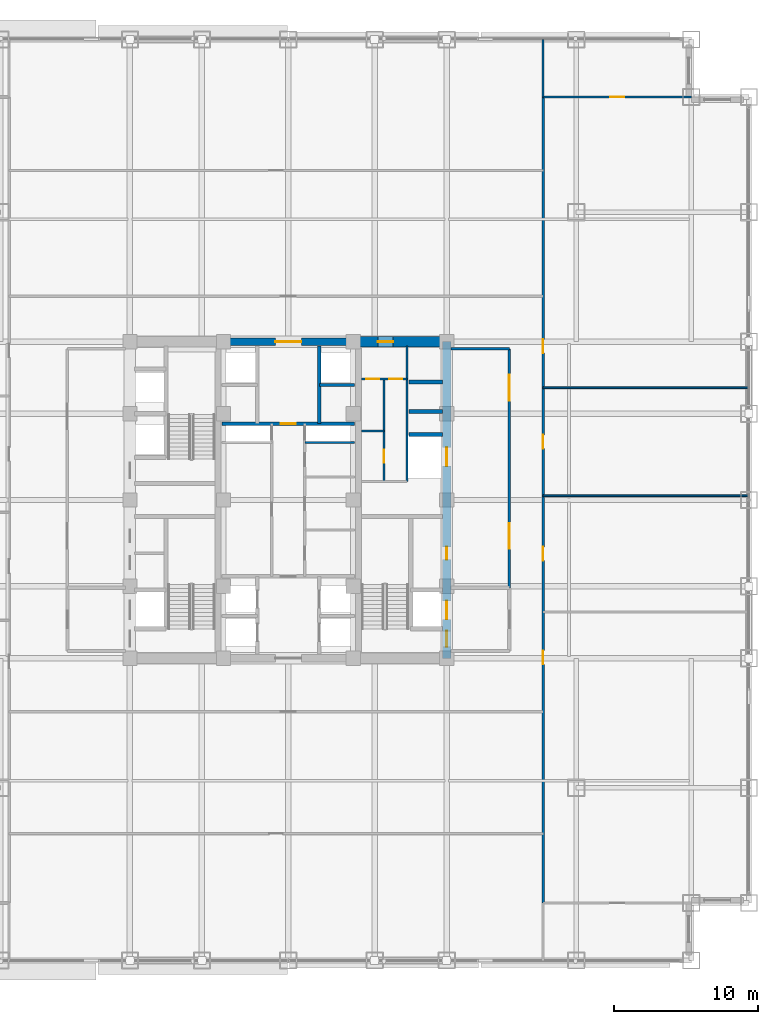
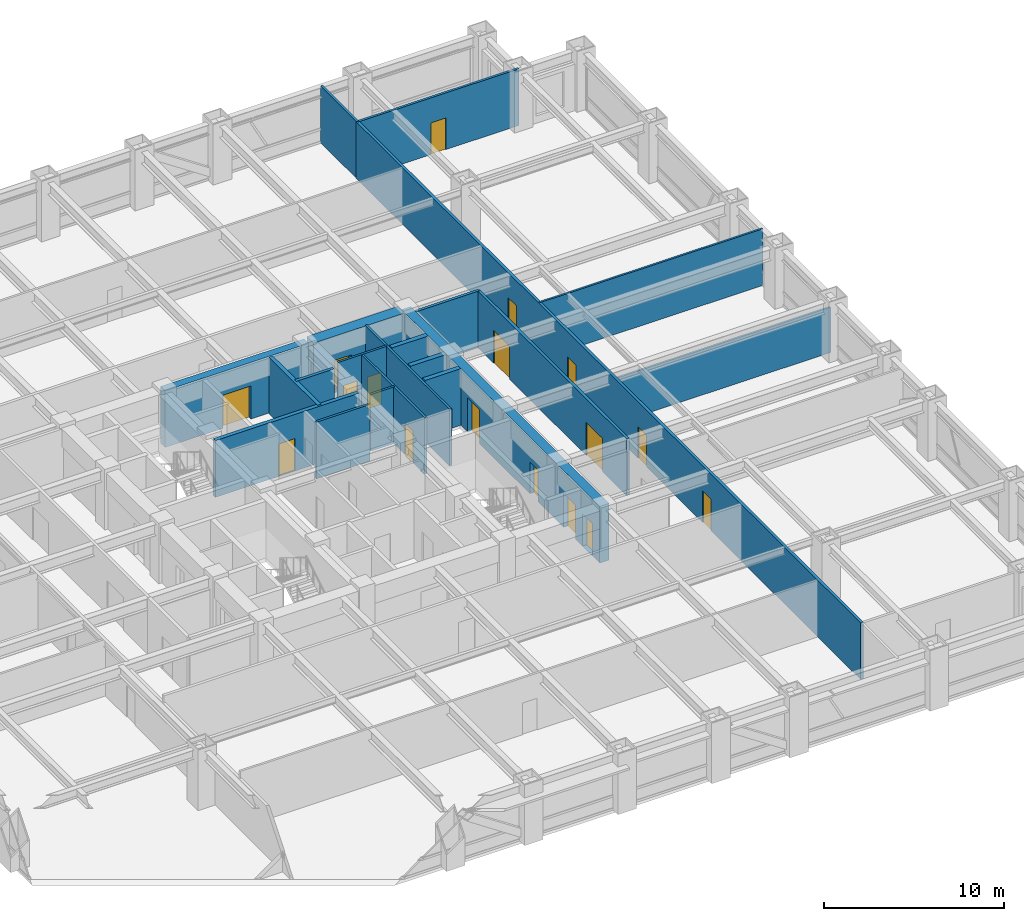
# One storey, part 26 of 32: 21 walls, 17 doors, 17 openings.
"""IFC4 building model written with IfcOpenShell, lengths in metres."""

import ifcopenshell
import ifcopenshell.guid

model = None  # the IFC model being written
_history = None  # IfcOwnerHistory: only IFC2X3 demands one
_inside = {}  # id of a spatial element -> (the spatial element, [elements in it])
_under = {}  # id of a project, library or spatial element -> (it, [spatial elements below it])
_declared = {}  # id of a project -> (the project, [libraries it declares])
_typed = {}  # id of a type object -> (the type object, [elements of that type])
_made_of = {}  # id of a material, layer set ... -> (it, [elements and type objects made of it])


def new_model(schema):
    """Start an empty IFC model of exactly this schema.

    Asked for "IFC4X3", IfcOpenShell would pick the latest addendum, in which some entities
    have other attributes; the version numbers below select the first issue.
    IFC2X3 requires an IfcOwnerHistory on every rooted entity: one is made here for all.
    """
    global model, _history
    if schema == "IFC4X3":
        model = ifcopenshell.file(schema_version=(4, 3, 0, 0))
    else:
        model = ifcopenshell.file(schema=schema)
    _inside.clear()
    _under.clear()
    _declared.clear()
    _typed.clear()
    _made_of.clear()
    _history = None
    if model.schema == "IFC2X3":
        org = make("IfcOrganization", Name="unknown")
        user = make(
            "IfcPersonAndOrganization",
            ThePerson=make("IfcPerson", FamilyName="unknown"),
            TheOrganization=org,
        )
        app = make(
            "IfcApplication",
            ApplicationDeveloper=org,
            Version="unknown",
            ApplicationFullName="unknown",
            ApplicationIdentifier="unknown",
        )
        _history = make(
            "IfcOwnerHistory",
            OwningUser=user,
            OwningApplication=app,
            ChangeAction="ADDED",
            CreationDate=0,
        )
    return model


def make(cls, **values):
    """One entity of the class cls with the attributes given. An attribute that is None is left unset."""
    return model.create_entity(
        cls, **{name: value for name, value in values.items() if value is not None}
    )


def rooted(cls, **values):
    """An entity with a GlobalId (a new one), such as an element, a storey or a relation."""
    return make(cls, GlobalId=ifcopenshell.guid.new(), OwnerHistory=_history, **values)


def si_unit(unit_type, name, prefix=None):
    """IfcSIUnit, for example si_unit("LENGTHUNIT", "METRE", prefix="MILLI")."""
    return make("IfcSIUnit", UnitType=unit_type, Prefix=prefix, Name=name)


def assignment(units):
    """IfcUnitAssignment: the units of a project."""
    return None if units is None else make("IfcUnitAssignment", Units=units)


def point(xyz):
    """IfcCartesianPoint."""
    return None if xyz is None else make("IfcCartesianPoint", Coordinates=xyz)


def direction(xyz):
    """IfcDirection."""
    return None if xyz is None else make("IfcDirection", DirectionRatios=xyz)


def frame(location, z_axis=None, x_axis=None):
    """IfcAxis2Placement3D, a coordinate frame: its origin and axes. An axis left out is left unset."""
    return make(
        "IfcAxis2Placement3D",
        Location=point(location),
        Axis=direction(z_axis),
        RefDirection=direction(x_axis),
    )


def frame_2d(location, x_axis=None):
    """IfcAxis2Placement2D, a coordinate frame in the plane: its origin and x axis."""
    return make(
        "IfcAxis2Placement2D", Location=point(location), RefDirection=direction(x_axis)
    )


def origin():
    """The frame at (0, 0, 0) with its axes left unset."""
    return frame((0.0, 0.0, 0.0))


def place(relative_to, where):
    """IfcLocalPlacement: puts the frame where relative to a parent placement (None: the world)."""
    return make(
        "IfcLocalPlacement", PlacementRelTo=relative_to, RelativePlacement=where
    )


def context(
    kind, dimensions, precision=None, world=None, true_north=None, identifier=None
):
    """IfcGeometricRepresentationContext, for example the 3D "Model" context."""
    return make(
        "IfcGeometricRepresentationContext",
        ContextIdentifier=identifier,
        ContextType=kind,
        CoordinateSpaceDimension=dimensions,
        Precision=precision,
        WorldCoordinateSystem=world,
        TrueNorth=true_north,
    )


def subcontext(parent, identifier, kind, view, scale=None):
    """IfcGeometricRepresentationSubContext, for example "Body" below "Model"."""
    return make(
        "IfcGeometricRepresentationSubContext",
        ContextIdentifier=identifier,
        ContextType=kind,
        ParentContext=parent,
        TargetScale=scale,
        TargetView=view,
    )


def project(units=None, contexts=None):
    """IfcProject with its units and contexts."""
    return rooted(
        "IfcProject",
        Name="project",
        RepresentationContexts=contexts,
        UnitsInContext=assignment(units),
    )


def spatial(cls, under=None, at=None, **own):
    """A site, building, storey or space (cls), placed at a placement, below another one or the project."""
    s = rooted(cls, ObjectPlacement=at, **own)
    if under is not None:
        _under.setdefault(under.id(), (under, []))[1].append(s)
    return s


def profile(cls, at=None, kind="AREA", **sizes):
    """A parametric profile (cls). Its sizes go by their IFC names, for example OverallWidth=200.0."""
    return make(cls, ProfileType=kind, Position=at, **sizes)


def rectangle(**sizes):
    """IfcRectangleProfileDef."""
    return profile("IfcRectangleProfileDef", **sizes)


def extrude(swept, where, along, depth):
    """IfcExtrudedAreaSolid: the profile swept, set in the frame where, extruded along a direction by depth."""
    return make(
        "IfcExtrudedAreaSolid",
        SweptArea=swept,
        Position=where,
        ExtrudedDirection=direction(along),
        Depth=depth,
    )


def shape(context_of_items, identifier, shape_type, items):
    """IfcShapeRepresentation: the items that make up one representation, for example the "Body"."""
    return make(
        "IfcShapeRepresentation",
        ContextOfItems=context_of_items,
        RepresentationIdentifier=identifier,
        RepresentationType=shape_type,
        Items=items,
    )


def source(mapping_origin, context_of_items, identifier, shape_type, items):
    """IfcRepresentationMap: a shape defined once, which mapped items show again and again."""
    return make(
        "IfcRepresentationMap",
        MappingOrigin=mapping_origin,
        MappedRepresentation=shape(context_of_items, identifier, shape_type, items),
    )


def transform(
    local_origin,
    x_axis=None,
    y_axis=None,
    z_axis=None,
    scale=None,
    scale2=None,
    scale3=None,
    uniform=True,
):
    """IfcCartesianTransformationOperator3D, or its non-uniform kind. x_axis, y_axis, z_axis: its Axis1, 2, 3."""
    if uniform:
        return make(
            "IfcCartesianTransformationOperator3D",
            Axis1=direction(x_axis),
            Axis2=direction(y_axis),
            LocalOrigin=point(local_origin),
            Scale=scale,
            Axis3=direction(z_axis),
        )
    return make(
        "IfcCartesianTransformationOperator3DnonUniform",
        Axis1=direction(x_axis),
        Axis2=direction(y_axis),
        LocalOrigin=point(local_origin),
        Scale=scale,
        Axis3=direction(z_axis),
        Scale2=scale2,
        Scale3=scale3,
    )


def mapped(mapping_source, mapping_target):
    """IfcMappedItem: shows the shape of a source again, moved by a transform."""
    return make(
        "IfcMappedItem", MappingSource=mapping_source, MappingTarget=mapping_target
    )


def material(Name=None, Category=None):
    """IfcMaterial."""
    return make("IfcMaterial", Name=Name, Category=Category)


def layer(
    of_material, thickness, ventilated=None, Name=None, Category=None, Priority=None
):
    """IfcMaterialLayer: one layer of a wall or slab, of a material (None: an air gap)."""
    return make(
        "IfcMaterialLayer",
        Material=of_material,
        LayerThickness=thickness,
        IsVentilated=ventilated,
        Name=Name,
        Category=Category,
        Priority=Priority,
    )


def layer_set(layers, Name=None):
    """IfcMaterialLayerSet."""
    return make("IfcMaterialLayerSet", MaterialLayers=layers, LayerSetName=Name)


def made_of(thing, what):
    """Note that an element or type object is made of a material, layer set ...; save() writes the relation."""
    if what is not None:
        _made_of.setdefault(what.id(), (what, []))[1].append(thing)
    return thing


def type_object(cls, material=None, **own):
    """A type object (cls), such as IfcWallType, which elements share."""
    return made_of(rooted(cls, **own), material)


def element(
    cls,
    number,
    at=None,
    inside=None,
    cuts=None,
    type_object=None,
    material=None,
    context=None,
    identifier="Body",
    shape_type=None,
    held_by="IfcProductDefinitionShape",
    body=None,
    shapes=None,
    **own,
):
    """One element of the class cls, such as IfcWall. Its Tag is "e" and its number.

    at: its placement. inside: the storey or other place that contains it. cuts: it is an
    opening in that element (IfcRelVoidsElement). A single representation is given by context,
    identifier, shape_type and body (its items); several are given by shapes. held_by: the class
    of the entity that holds the representations. save() writes the other relations.
    """
    e = rooted(cls, Tag="e%d" % number, ObjectPlacement=at, **own)
    if body is not None:
        shapes = [shape(context, identifier, shape_type, body)]
    if shapes is not None:
        e.Representation = make(held_by, Representations=shapes)
    if inside is not None:
        _inside.setdefault(inside.id(), (inside, []))[1].append(e)
    if cuts is not None:
        rooted(
            "IfcRelVoidsElement", RelatingBuildingElement=cuts, RelatedOpeningElement=e
        )
    if type_object is not None:
        _typed.setdefault(type_object.id(), (type_object, []))[1].append(e)
    return made_of(e, material)


def fill(opening, filler):
    """IfcRelFillsElement: the door or window that sits in an opening."""
    return rooted(
        "IfcRelFillsElement",
        RelatingOpeningElement=opening,
        RelatedBuildingElement=filler,
    )


def aggregate(whole, parts):
    """IfcRelAggregates: a whole, such as a stair, and the parts it consists of."""
    return rooted("IfcRelAggregates", RelatingObject=whole, RelatedObjects=parts)


def save(model, path):
    """Write the relations noted so far, then the file.

    IfcRelAggregates (storeys below a building ...), IfcRelContainedInSpatialStructure (elements
    in a storey), IfcRelDefinesByType, IfcRelAssociatesMaterial and IfcRelDeclares: one each for
    every whole, place, type object, material and project.
    """
    for whole, parts in _under.values():
        aggregate(whole, parts)
    for where, things in _inside.values():
        rooted(
            "IfcRelContainedInSpatialStructure",
            RelatedElements=things,
            RelatingStructure=where,
        )
    for kind, things in _typed.values():
        rooted("IfcRelDefinesByType", RelatedObjects=things, RelatingType=kind)
    for what, things in _made_of.values():
        rooted("IfcRelAssociatesMaterial", RelatedObjects=things, RelatingMaterial=what)
    for by, libraries in _declared.values():
        rooted("IfcRelDeclares", RelatingContext=by, RelatedDefinitions=libraries)
    model.write(path)


model = new_model("IFC4")

# Units and contexts
model_context = context("Model", 3, precision=1e-05, world=origin(), true_north=direction((0.0, 1.0)))
body_context = subcontext(model_context, "Body", "Model", "MODEL_VIEW")
ifc_project = project(units=[si_unit("LENGTHUNIT", "METRE"), si_unit("AREAUNIT", "SQUARE_METRE"), si_unit("VOLUMEUNIT", "CUBIC_METRE"), si_unit("PLANEANGLEUNIT", "RADIAN"), si_unit("MASSUNIT", "GRAM", prefix="KILO")], contexts=[model_context])

# Site, building, storey
site_placement = place(None, origin())
site = spatial("IfcSite", under=ifc_project, at=site_placement, CompositionType="ELEMENT")
building_placement = place(site_placement, origin())
building = spatial("IfcBuilding", under=site, at=building_placement, Name="Khorayat Bourse Tower", CompositionType="ELEMENT")
storey_placement = place(building_placement, frame((0.0, 0.0, 99.60009765625)))
storey = spatial("IfcBuildingStorey", under=building, at=storey_placement, Name="L22", CompositionType="ELEMENT", Elevation=99.60009765625)

# Wall, openings, doors
ifc_material_1 = material(Name="Concrete C60/75", Category="concrete")
ifc_layer_1 = layer(ifc_material_1, 0.60009765625)
ifc_layer_set_1 = layer_set([ifc_layer_1], Name="Concrete C60/75")
wall_type_1 = type_object("IfcWallType", Name="WAL-CORE-600", PredefinedType="SHEAR", material=ifc_layer_set_1)
shared_shape_1 = source(origin(), body_context, "Body", "SweptSolid", [
    extrude(rectangle(XDim=22.0, YDim=0.60009765625, at=frame_2d((11.0, 0.0))), origin(), (0.0, 0.0, 1.0), 3.83984375),
])
wall_1_placement = place(storey_placement, frame((11.0, -11.0, 0.0), z_axis=(0.0, 0.0, 1.0), x_axis=(0.0, 1.0, 0.0)))
wall_1 = element("IfcWall", 1, at=wall_1_placement, inside=storey, type_object=wall_type_1, Name="L22 Core Shear Wall CORE-E", PredefinedType="SHEAR", context=body_context, shape_type="MappedRepresentation", body=[
    mapped(shared_shape_1, transform((0.0, 0.0, 0.0), scale=1.0)),
])
shared_shape_2 = source(origin(), body_context, "Body", "SweptSolid", [
    extrude(rectangle(XDim=1.10009765625, YDim=2.199951171875, at=frame_2d((0.550048828125, 1.10009765625))), frame((0.0, 0.31005859375, 0.0), z_axis=(0.0, -1.0, 0.0), x_axis=(1.0, 0.0, 0.0)), (0.0, 0.0, 1.0), 0.6201171875),
])
opening_1_placement = place(wall_1_placement, frame((0.800048828125, 0.0, 0.0)))
opening_1 = element("IfcOpeningElement", 2, at=opening_1_placement, cuts=wall_1, Name="Opening DI-01", PredefinedType="OPENING", context=body_context, shape_type="MappedRepresentation", body=[
    mapped(shared_shape_2, transform((0.0, 0.0, 0.0), scale=1.0)),
])
shared_shape_3 = source(origin(), body_context, "Body", "SweptSolid", [
    extrude(rectangle(XDim=0.89990234375, YDim=2.14990234375, at=frame_2d((0.449951171875, 1.074951171875))), frame((0.0, 0.31005859375, 0.0), z_axis=(0.0, -1.0, 0.0), x_axis=(1.0, 0.0, 0.0)), (0.0, 0.0, 1.0), 0.6201171875),
])
opening_2_placement = place(wall_1_placement, frame((6.85009765625, 0.0, 0.0)))
opening_2 = element("IfcOpeningElement", 3, at=opening_2_placement, cuts=wall_1, Name="Opening DI-06", PredefinedType="OPENING", context=body_context, shape_type="MappedRepresentation", body=[
    mapped(shared_shape_3, transform((0.0, 0.0, 0.0), scale=1.0)),
])
shared_shape_4 = source(origin(), body_context, "Body", "SweptSolid", [
    extrude(rectangle(XDim=1.300048828125, YDim=2.300048828125, at=frame_2d((0.64990234375, 1.14990234375))), frame((0.0, 0.31005859375, 0.0), z_axis=(0.0, -1.0, 0.0), x_axis=(1.0, 0.0, 0.0)), (0.0, 0.0, 1.0), 0.6201171875),
])
opening_3_placement = place(wall_1_placement, frame((2.699951171875, 0.0, 0.0)))
opening_3 = element("IfcOpeningElement", 4, at=opening_3_placement, cuts=wall_1, Name="Opening LD-02", PredefinedType="OPENING", context=body_context, shape_type="MappedRepresentation", body=[
    mapped(shared_shape_4, transform((0.0, 0.0, 0.0), scale=1.0)),
])
opening_4_placement = place(wall_1_placement, frame((13.35009765625, 0.0, 0.0)))
opening_4 = element("IfcOpeningElement", 5, at=opening_4_placement, cuts=wall_1, Name="Opening LD-02", PredefinedType="OPENING", context=body_context, shape_type="MappedRepresentation", body=[
    mapped(shared_shape_4, transform((0.0, 0.0, 0.0), scale=1.0)),
])
ifc_material_2 = material(Name="Fire-rated steel acoustic leaf", Category="steel")
door_type_1 = type_object("IfcDoorType", Name="DR-INT-STAIR-1100", OperationType="NOTDEFINED", PredefinedType="DOOR", material=ifc_material_2)
shared_shape_5 = source(origin(), body_context, "Body", "SweptSolid", [
    extrude(rectangle(XDim=1.10009765625, YDim=2.199951171875, at=frame_2d((0.550048828125, 1.10009765625))), frame((0.0, 0.02490234375, 0.0), z_axis=(0.0, -1.0, 0.0), x_axis=(1.0, 0.0, 0.0)), (0.0, 0.0, 1.0), 0.050048828125),
])
door_1_placement = place(opening_1_placement, origin())
door_1 = element("IfcDoor", 6, at=door_1_placement, inside=storey, type_object=door_type_1, Name="L22 Exit Stair 3 Door", OperationType="SINGLE_SWING_LEFT", OverallHeight=2.199951171875, OverallWidth=1.10009765625, PredefinedType="DOOR", context=body_context, shape_type="MappedRepresentation", body=[
    mapped(shared_shape_5, transform((0.0, 0.0, 0.0), scale=1.0)),
])
fill(opening_1, door_1)
ifc_material_3 = material(Name="Moisture-resistant laminate washroom door")
door_type_2 = type_object("IfcDoorType", Name="DR-INT-WC-900", OperationType="NOTDEFINED", PredefinedType="DOOR", material=ifc_material_3)
shared_shape_6 = source(origin(), body_context, "Body", "SweptSolid", [
    extrude(rectangle(XDim=0.89990234375, YDim=2.14990234375, at=frame_2d((0.449951171875, 1.074951171875))), frame((0.0, 0.02490234375, 0.0), z_axis=(0.0, -1.0, 0.0), x_axis=(1.0, 0.0, 0.0)), (0.0, 0.0, 1.0), 0.050048828125),
])
door_2_placement = place(opening_2_placement, origin())
door_2 = element("IfcDoor", 7, at=door_2_placement, inside=storey, type_object=door_type_2, Name="L22 Telecom Server Plant Room Door", OperationType="SINGLE_SWING_LEFT", OverallHeight=2.14990234375, OverallWidth=0.89990234375, PredefinedType="DOOR", context=body_context, shape_type="MappedRepresentation", body=[
    mapped(shared_shape_6, transform((0.0, 0.0, 0.0), scale=1.0)),
])
fill(opening_2, door_2)
ifc_material_4 = material(Name="Fire-rated stainless-steel sliding landing door", Category="steel")
door_type_3 = type_object("IfcDoorType", Name="DR-LIFT-FF-1300", OperationType="NOTDEFINED", PredefinedType="DOOR", material=ifc_material_4)
shared_shape_7 = source(origin(), body_context, "Body", "SweptSolid", [
    extrude(rectangle(XDim=1.300048828125, YDim=2.300048828125, at=frame_2d((0.64990234375, 1.14990234375))), frame((0.0, 0.02490234375, 0.0), z_axis=(0.0, -1.0, 0.0), x_axis=(1.0, 0.0, 0.0)), (0.0, 0.0, 1.0), 0.050048828125),
])
door_3_placement = place(opening_3_placement, origin())
door_3 = element("IfcDoor", 8, at=door_3_placement, inside=storey, type_object=door_type_3, Name="L22 Lift FFL-02 Sliding Landing Door", OperationType="SLIDING_TO_LEFT", OverallHeight=2.300048828125, OverallWidth=1.300048828125, PredefinedType="DOOR", context=body_context, shape_type="MappedRepresentation", body=[
    mapped(shared_shape_7, transform((0.0, 0.0, 0.0), scale=1.0)),
])
fill(opening_3, door_3)
door_4_placement = place(opening_4_placement, origin())
door_4 = element("IfcDoor", 9, at=door_4_placement, inside=storey, type_object=door_type_3, Name="L22 Lift SVL-01 Sliding Landing Door", OperationType="SLIDING_TO_LEFT", OverallHeight=2.300048828125, OverallWidth=1.300048828125, PredefinedType="DOOR", context=body_context, shape_type="MappedRepresentation", body=[
    mapped(shared_shape_7, transform((0.0, 0.0, 0.0), scale=1.0)),
])
fill(opening_4, door_4)

# Wall, opening, door
ifc_material_5 = material(Name="Concrete C72/90", Category="concrete")
ifc_layer_2 = layer(ifc_material_5, 0.75)
ifc_layer_set_2 = layer_set([ifc_layer_2], Name="Concrete C72/90")
wall_type_2 = type_object("IfcWallType", Name="WAL-CORE-750", PredefinedType="SHEAR", material=ifc_layer_set_2)
shared_shape_8 = source(origin(), body_context, "Body", "SweptSolid", [
    extrude(rectangle(XDim=5.849853515625, YDim=0.75, at=frame_2d((2.9248046875, 0.0))), origin(), (0.0, 0.0, 1.0), 3.83984375),
])
wall_2_placement = place(storey_placement, frame((4.85009765625, 11.0, 0.0), z_axis=(0.0, 0.0, 1.0), x_axis=(1.0, 0.0, 0.0)))
wall_2 = element("IfcWall", 10, at=wall_2_placement, inside=storey, type_object=wall_type_2, Name="L22 Core Shear Wall PIER-EN", PredefinedType="SHEAR", context=body_context, shape_type="MappedRepresentation", body=[
    mapped(shared_shape_8, transform((0.0, 0.0, 0.0), scale=1.0)),
])
shared_shape_9 = source(origin(), body_context, "Body", "SweptSolid", [
    extrude(rectangle(XDim=1.050048828125, YDim=2.199951171875, at=frame_2d((0.52490234375, 1.10009765625))), frame((0.0, 0.385009765625, 0.0), z_axis=(0.0, -1.0, 0.0), x_axis=(1.0, 0.0, 0.0)), (0.0, 0.0, 1.0), 0.77001953125),
])
opening_5_placement = place(wall_2_placement, frame((1.375, 0.0, 0.0)))
opening_5 = element("IfcOpeningElement", 11, at=opening_5_placement, cuts=wall_2, Name="Opening DI-04", PredefinedType="OPENING", context=body_context, shape_type="MappedRepresentation", body=[
    mapped(shared_shape_9, transform((0.0, 0.0, 0.0), scale=1.0)),
])
ifc_material_6 = material(Name="Fire-rated oak veneer suite entrance door")
door_type_4 = type_object("IfcDoorType", Name="DR-INT-SUITE-1050", OperationType="NOTDEFINED", PredefinedType="DOOR", material=ifc_material_6)
shared_shape_10 = source(origin(), body_context, "Body", "SweptSolid", [
    extrude(rectangle(XDim=1.050048828125, YDim=2.199951171875, at=frame_2d((0.52490234375, 1.10009765625))), frame((0.0, 0.02490234375, 0.0), z_axis=(0.0, -1.0, 0.0), x_axis=(1.0, 0.0, 0.0)), (0.0, 0.0, 1.0), 0.050048828125),
])
door_5_placement = place(opening_5_placement, origin())
door_5 = element("IfcDoor", 12, at=door_5_placement, inside=storey, type_object=door_type_4, Name="L22 Core Washroom Lobby Door", OperationType="SINGLE_SWING_LEFT", OverallHeight=2.199951171875, OverallWidth=1.050048828125, PredefinedType="DOOR", context=body_context, shape_type="MappedRepresentation", body=[
    mapped(shared_shape_10, transform((0.0, 0.0, 0.0), scale=1.0)),
])
fill(opening_5, door_5)

ifc_material_7 = material(Name="Concrete C52/65", Category="concrete")
ifc_layer_3 = layer(ifc_material_7, 0.5)
ifc_layer_set_3 = layer_set([ifc_layer_3], Name="Concrete C52/65")
wall_type_3 = type_object("IfcWallType", Name="WAL-CORE-500", PredefinedType="SHEAR", material=ifc_layer_set_3)
shared_shape_11 = source(origin(), body_context, "Body", "SweptSolid", [
    extrude(rectangle(XDim=9.2001953125, YDim=0.5, at=frame_2d((4.60009765625, 0.0))), origin(), (0.0, 0.0, 1.0), 3.83984375),
])
wall_3_placement = place(storey_placement, frame((-4.60009765625, 11.0, 0.0), z_axis=(0.0, 0.0, 1.0), x_axis=(1.0, 0.0, 0.0)))
wall_3 = element("IfcWall", 13, at=wall_3_placement, inside=storey, type_object=wall_type_3, Name="L22 Core Shear Wall CORE-N", PredefinedType="SHEAR", context=body_context, shape_type="MappedRepresentation", body=[
    mapped(shared_shape_11, transform((0.0, 0.0, 0.0), scale=1.0)),
])
shared_shape_12 = source(origin(), body_context, "Body", "SweptSolid", [
    extrude(rectangle(XDim=1.800048828125, YDim=2.25, at=frame_2d((0.89990234375, 1.125))), frame((0.0, 0.260009765625, 0.0), z_axis=(0.0, -1.0, 0.0), x_axis=(1.0, 0.0, 0.0)), (0.0, 0.0, 1.0), 0.52001953125),
])
opening_6_placement = place(wall_3_placement, frame((3.699951171875, 0.0, 0.0)))
opening_6 = element("IfcOpeningElement", 14, at=opening_6_placement, cuts=wall_3, Name="Opening DI-03", PredefinedType="OPENING", context=body_context, shape_type="MappedRepresentation", body=[
    mapped(shared_shape_12, transform((0.0, 0.0, 0.0), scale=1.0)),
])
ifc_material_8 = material(Name="Fire-rated hardwood vision-panel double leaf", Category="wood")
door_type_5 = type_object("IfcDoorType", Name="DR-INT-CORR-1800", OperationType="NOTDEFINED", PredefinedType="DOOR", material=ifc_material_8)
shared_shape_13 = source(origin(), body_context, "Body", "SweptSolid", [
    extrude(rectangle(XDim=1.800048828125, YDim=2.25, at=frame_2d((0.89990234375, 1.125))), frame((0.0, 0.02490234375, 0.0), z_axis=(0.0, -1.0, 0.0), x_axis=(1.0, 0.0, 0.0)), (0.0, 0.0, 1.0), 0.050048828125),
])
door_6_placement = place(opening_6_placement, origin())
door_6 = element("IfcDoor", 15, at=door_6_placement, inside=storey, type_object=door_type_5, Name="L22 Mid-Rise Lift Lobby Door", OperationType="SINGLE_SWING_RIGHT", OverallHeight=2.25, OverallWidth=1.800048828125, PredefinedType="DOOR", context=body_context, shape_type="MappedRepresentation", body=[
    mapped(shared_shape_13, transform((0.0, 0.0, 0.0), scale=1.0)),
])
fill(opening_6, door_6)

# Walls
ifc_material_9 = material(Name="Gypsum plasterboard partition")
ifc_layer_4 = layer(ifc_material_9, 0.125)
ifc_layer_set_4 = layer_set([ifc_layer_4], Name="Gypsum plasterboard partition")
wall_type_4 = type_object("IfcWallType", Name="WAL-PART-ROOM-125", PredefinedType="PARTITIONING", material=ifc_layer_set_4)
shared_shape_14 = source(origin(), body_context, "Body", "SweptSolid", [
    extrude(rectangle(XDim=14.300048828125, YDim=0.125, at=frame_2d((7.14990234375, 0.0))), origin(), (0.0, 0.0, 1.0), 3.06689453125),
])
wall_4_placement = place(storey_placement, frame((17.699951171875, 0.302001953125, 0.0), z_axis=(0.0, 0.0, 1.0), x_axis=(1.0, 0.0, 0.0)))
element("IfcWall", 16, at=wall_4_placement, inside=storey, type_object=wall_type_4, Name="L22 Partition WAL-L22-EDV-2", PredefinedType="PARTITIONING", context=body_context, shape_type="MappedRepresentation", body=[
    mapped(shared_shape_14, transform((0.0, 0.0, 0.0), scale=1.0)),
])
ifc_material_10 = material(Name="Concrete C50/60", Category="concrete")
ifc_layer_5 = layer(ifc_material_10, 0.300048828125)
ifc_layer_set_5 = layer_set([ifc_layer_5], Name="Concrete C50/60")
wall_type_5 = type_object("IfcWallType", Name="WAL-SHAFT-300", PredefinedType="SHEAR", material=ifc_layer_set_5)
shared_shape_15 = source(origin(), body_context, "Body", "SweptSolid", [
    extrude(rectangle(XDim=2.300048828125, YDim=0.300048828125, at=frame_2d((1.14990234375, 0.0))), origin(), (0.0, 0.0, 1.0), 3.83984375),
])
for number, where, z_axis, x_axis, name in (
    (17, (8.39990234375, 4.550048828125, 0.0), (0.0, 0.0, 1.0), (1.0, 0.0, 0.0), "L22 Partition WAL-L22-EPIER-SVLN"),
    (18, (8.39990234375, 6.14990234375, 0.0), (0.0, 0.0, 1.0), (1.0, 0.0, 0.0), "L22 Partition WAL-L22-EPIER-H3S"),
    (19, (8.39990234375, 8.199951171875, 0.0), (0.0, 0.0, 1.0), (1.0, 0.0, 0.0), "L22 Partition WAL-L22-EPIER-H34"),
):
    element("IfcWall", number, at=place(storey_placement, frame(where, z_axis=z_axis, x_axis=x_axis)), inside=storey, type_object=wall_type_5, Name=name, PredefinedType="SHEAR", context=body_context, shape_type="MappedRepresentation", body=[
        mapped(shared_shape_15, transform((0.0, 0.0, 0.0), scale=1.0)),
    ])
ifc_material_11 = material(Name="Moisture-resistant masonry partition", Category="masonry")
ifc_layer_6 = layer(ifc_material_11, 0.139892578125)
ifc_layer_set_6 = layer_set([ifc_layer_6], Name="Moisture-resistant masonry partition")
wall_type_6 = type_object("IfcWallType", Name="WAL-PART-WET-140", PredefinedType="PARTITIONING", material=ifc_layer_set_6)
shared_shape_16 = source(origin(), body_context, "Body", "SweptSolid", [
    extrude(rectangle(XDim=9.39990234375, YDim=0.139892578125, at=frame_2d((4.699951171875, 0.0))), origin(), (0.0, 0.0, 1.0), 3.83984375),
])
wall_5_placement = place(storey_placement, frame((8.25, 1.300048828125, 0.0), z_axis=(0.0, 0.0, 1.0), x_axis=(0.0, 1.0, 0.0)))
element("IfcWall", 20, at=wall_5_placement, inside=storey, type_object=wall_type_6, Name="L22 Partition WAL-L22-ECORE-E", PredefinedType="PARTITIONING", context=body_context, shape_type="MappedRepresentation", body=[
    mapped(shared_shape_16, transform((0.0, 0.0, 0.0), scale=1.0)),
])

# Wall, openings, doors
shared_shape_17 = source(origin(), body_context, "Body", "SweptSolid", [
    extrude(rectangle(XDim=3.14990234375, YDim=0.139892578125, at=frame_2d((1.574951171875, 0.0))), origin(), (0.0, 0.0, 1.0), 3.83984375),
])
wall_6_placement = place(storey_placement, frame((5.10009765625, 8.39990234375, 0.0), z_axis=(0.0, 0.0, 1.0), x_axis=(1.0, 0.0, 0.0)))
wall_6 = element("IfcWall", 21, at=wall_6_placement, inside=storey, type_object=wall_type_6, Name="L22 Partition WAL-L22-ECW-TOP", PredefinedType="PARTITIONING", context=body_context, shape_type="MappedRepresentation", body=[
    mapped(shared_shape_17, transform((0.0, 0.0, 0.0), scale=1.0)),
])
shared_shape_18 = source(origin(), body_context, "Body", "SweptSolid", [
    extrude(rectangle(XDim=0.89990234375, YDim=2.14990234375, at=frame_2d((0.449951171875, 1.074951171875))), frame((0.0, 0.079833984375, 0.0), z_axis=(0.0, -1.0, 0.0), x_axis=(1.0, 0.0, 0.0)), (0.0, 0.0, 1.0), 0.159912109375),
])
opening_7_placement = place(wall_6_placement, frame((0.330078125, 0.0, 0.0)))
opening_7 = element("IfcOpeningElement", 22, at=opening_7_placement, cuts=wall_6, Name="Opening DI-06", PredefinedType="OPENING", context=body_context, shape_type="MappedRepresentation", body=[
    mapped(shared_shape_18, transform((0.0, 0.0, 0.0), scale=1.0)),
])
opening_8_placement = place(wall_6_placement, frame((1.89990234375, 0.0, 0.0)))
opening_8 = element("IfcOpeningElement", 23, at=opening_8_placement, cuts=wall_6, Name="Opening DI-06", PredefinedType="OPENING", context=body_context, shape_type="MappedRepresentation", body=[
    mapped(shared_shape_18, transform((0.0, 0.0, 0.0), scale=1.0)),
])
door_7_placement = place(opening_7_placement, origin())
door_7 = element("IfcDoor", 24, at=door_7_placement, inside=storey, type_object=door_type_2, Name="L22 Accessible WC Door", OperationType="SINGLE_SWING_LEFT", OverallHeight=2.14990234375, OverallWidth=0.89990234375, PredefinedType="DOOR", context=body_context, shape_type="MappedRepresentation", body=[
    mapped(shared_shape_6, transform((0.0, 0.0, 0.0), scale=1.0)),
])
fill(opening_7, door_7)
door_8_placement = place(opening_8_placement, origin())
door_8 = element("IfcDoor", 25, at=door_8_placement, inside=storey, type_object=door_type_2, Name="L22 Shared Washroom Door", OperationType="SINGLE_SWING_RIGHT", OverallHeight=2.14990234375, OverallWidth=0.89990234375, PredefinedType="DOOR", context=body_context, shape_type="MappedRepresentation", body=[
    mapped(shared_shape_6, transform((0.0, 0.0, 0.0), scale=1.0)),
])
fill(opening_8, door_8)

# Wall, opening, door
shared_shape_19 = source(origin(), body_context, "Body", "SweptSolid", [
    extrude(rectangle(XDim=7.099853515625, YDim=0.139892578125, at=frame_2d((3.5498046875, 0.0))), origin(), (0.0, 0.0, 1.0), 3.83984375),
])
wall_7_placement = place(storey_placement, frame((6.64990234375, 1.300048828125, 0.0), z_axis=(0.0, 0.0, 1.0), x_axis=(0.0, 1.0, 0.0)))
wall_7 = element("IfcWall", 26, at=wall_7_placement, inside=storey, type_object=wall_type_6, Name="L22 Partition WAL-L22-ECW-MID", PredefinedType="PARTITIONING", context=body_context, shape_type="MappedRepresentation", body=[
    mapped(shared_shape_19, transform((0.0, 0.0, 0.0), scale=1.0)),
])
opening_9_placement = place(wall_7_placement, frame((1.300048828125, 0.0, 0.0)))
opening_9 = element("IfcOpeningElement", 27, at=opening_9_placement, cuts=wall_7, Name="Opening DI-06", PredefinedType="OPENING", context=body_context, shape_type="MappedRepresentation", body=[
    mapped(shared_shape_18, transform((0.0, 0.0, 0.0), scale=1.0)),
])
door_9_placement = place(opening_9_placement, origin())
door_9 = element("IfcDoor", 28, at=door_9_placement, inside=storey, type_object=door_type_2, Name="L22 Janitor Store Door", OperationType="SINGLE_SWING_LEFT", OverallHeight=2.14990234375, OverallWidth=0.89990234375, PredefinedType="DOOR", context=body_context, shape_type="MappedRepresentation", body=[
    mapped(shared_shape_6, transform((0.0, 0.0, 0.0), scale=1.0)),
])
fill(opening_9, door_9)

# Walls
shared_shape_20 = source(origin(), body_context, "Body", "SweptSolid", [
    extrude(rectangle(XDim=1.5498046875, YDim=0.139892578125, at=frame_2d((0.77490234375, 0.0))), origin(), (0.0, 0.0, 1.0), 3.83984375),
])
wall_8_placement = place(storey_placement, frame((5.10009765625, 4.800048828125, 0.0), z_axis=(0.0, 0.0, 1.0), x_axis=(1.0, 0.0, 0.0)))
element("IfcWall", 29, at=wall_8_placement, inside=storey, type_object=wall_type_6, Name="L22 Partition WAL-L22-ECW-BOT", PredefinedType="PARTITIONING", context=body_context, shape_type="MappedRepresentation", body=[
    mapped(shared_shape_20, transform((0.0, 0.0, 0.0), scale=1.0)),
])
ifc_material_12 = material(Name="Gypsum plasterboard acoustic stud wall")
ifc_layer_7 = layer(ifc_material_12, 0.179931640625)
ifc_layer_set_7 = layer_set([ifc_layer_7], Name="Gypsum plasterboard acoustic stud wall")
wall_type_7 = type_object("IfcWallType", Name="WAL-PART-CORR-180", PredefinedType="PARTITIONING", material=ifc_layer_set_7)
shared_shape_21 = source(origin(), body_context, "Body", "SweptSolid", [
    extrude(rectangle(XDim=4.050048828125, YDim=0.179931640625, at=frame_2d((2.02490234375, 0.0))), origin(), (0.0, 0.0, 1.0), 3.83984375),
])
wall_9_placement = place(storey_placement, frame((11.300048828125, 10.5, 0.0), z_axis=(0.0, 0.0, 1.0), x_axis=(1.0, 0.0, 0.0)))
element("IfcWall", 30, at=wall_9_placement, inside=storey, type_object=wall_type_7, Name="L22 Partition WAL-L22-ELOB-N", PredefinedType="PARTITIONING", context=body_context, shape_type="MappedRepresentation", body=[
    mapped(shared_shape_21, transform((0.0, 0.0, 0.0), scale=1.0)),
])

# Wall, openings, doors
shared_shape_22 = source(origin(), body_context, "Body", "SweptSolid", [
    extrude(rectangle(XDim=16.60009765625, YDim=0.179931640625, at=frame_2d((8.300048828125, 0.0))), origin(), (0.0, 0.0, 1.0), 3.83984375),
])
wall_10_placement = place(storey_placement, frame((15.35009765625, -6.10009765625, 0.0), z_axis=(0.0, 0.0, 1.0), x_axis=(0.0, 1.0, 0.0)))
wall_10 = element("IfcWall", 31, at=wall_10_placement, inside=storey, type_object=wall_type_7, Name="L22 Partition WAL-L22-ELOB-E", PredefinedType="PARTITIONING", context=body_context, shape_type="MappedRepresentation", body=[
    mapped(shared_shape_22, transform((0.0, 0.0, 0.0), scale=1.0)),
])
shared_shape_23 = source(origin(), body_context, "Body", "SweptSolid", [
    extrude(rectangle(XDim=1.800048828125, YDim=2.25, at=frame_2d((0.89990234375, 1.125))), frame((0.0, 0.099853515625, 0.0), z_axis=(0.0, -1.0, 0.0), x_axis=(1.0, 0.0, 0.0)), (0.0, 0.0, 1.0), 0.199951171875),
])
opening_10_placement = place(wall_10_placement, frame((2.699951171875, 0.0, 0.0)))
opening_10 = element("IfcOpeningElement", 32, at=opening_10_placement, cuts=wall_10, Name="Opening DI-03", PredefinedType="OPENING", context=body_context, shape_type="MappedRepresentation", body=[
    mapped(shared_shape_23, transform((0.0, 0.0, 0.0), scale=1.0)),
])
opening_11_placement = place(wall_10_placement, frame((13.0, 0.0, 0.0)))
opening_11 = element("IfcOpeningElement", 33, at=opening_11_placement, cuts=wall_10, Name="Opening DI-03", PredefinedType="OPENING", context=body_context, shape_type="MappedRepresentation", body=[
    mapped(shared_shape_23, transform((0.0, 0.0, 0.0), scale=1.0)),
])
door_10_placement = place(opening_10_placement, origin())
door_10 = element("IfcDoor", 34, at=door_10_placement, inside=storey, type_object=door_type_5, Name="L22 East Core Lobby South Door", OperationType="SINGLE_SWING_RIGHT", OverallHeight=2.25, OverallWidth=1.800048828125, PredefinedType="DOOR", context=body_context, shape_type="MappedRepresentation", body=[
    mapped(shared_shape_13, transform((0.0, 0.0, 0.0), scale=1.0)),
])
fill(opening_10, door_10)
door_11_placement = place(opening_11_placement, origin())
door_11 = element("IfcDoor", 35, at=door_11_placement, inside=storey, type_object=door_type_5, Name="L22 East Core Lobby North Door", OperationType="SINGLE_SWING_LEFT", OverallHeight=2.25, OverallWidth=1.800048828125, PredefinedType="DOOR", context=body_context, shape_type="MappedRepresentation", body=[
    mapped(shared_shape_13, transform((0.0, 0.0, 0.0), scale=1.0)),
])
fill(opening_11, door_11)

# Walls
ifc_material_13 = material(Name="Gypsum plasterboard twin-frame partition")
ifc_layer_8 = layer(ifc_material_13, 0.14990234375)
ifc_layer_set_8 = layer_set([ifc_layer_8], Name="Gypsum plasterboard twin-frame partition")
wall_type_8 = type_object("IfcWallType", Name="WAL-PART-SUITE-150", PredefinedType="PARTITIONING", material=ifc_layer_set_8)
shared_shape_24 = source(origin(), body_context, "Body", "SweptSolid", [
    extrude(rectangle(XDim=3.4501953125, YDim=0.14990234375, at=frame_2d((1.72509765625, 0.0))), origin(), (0.0, 0.0, 1.0), 3.83984375),
])
wall_11_placement = place(storey_placement, frame((1.14990234375, 4.0, 0.0), z_axis=(0.0, 0.0, 1.0), x_axis=(1.0, 0.0, 0.0)))
element("IfcWall", 36, at=wall_11_placement, inside=storey, type_object=wall_type_8, Name="L22 Partition WAL-L22-CRSE-S", PredefinedType="PARTITIONING", context=body_context, shape_type="MappedRepresentation", body=[
    mapped(shared_shape_24, transform((0.0, 0.0, 0.0), scale=1.0)),
])
shared_shape_25 = source(origin(), body_context, "Body", "SweptSolid", [
    extrude(rectangle(XDim=5.39990234375, YDim=0.25, at=frame_2d((2.699951171875, 0.0))), origin(), (0.0, 0.0, 1.0), 3.83984375),
])
wall_12_placement = place(storey_placement, frame((2.14990234375, 5.300048828125, 0.0), z_axis=(0.0, 0.0, 1.0), x_axis=(0.0, 1.0, 0.0)))
element("IfcWall", 37, at=wall_12_placement, inside=storey, type_object=wall_type_5, Name="L22 Partition WAL-L22-B2-E", PredefinedType="SHEAR", context=body_context, shape_type="MappedRepresentation", body=[
    mapped(shared_shape_25, transform((0.0, 0.0, 0.0), scale=1.0)),
])
shared_shape_26 = source(origin(), body_context, "Body", "SweptSolid", [
    extrude(rectangle(XDim=2.4501953125, YDim=0.199951171875, at=frame_2d((1.22509765625, 0.0))), origin(), (0.0, 0.0, 1.0), 3.83984375),
])
wall_13_placement = place(storey_placement, frame((2.14990234375, 8.0, 0.0), z_axis=(0.0, 0.0, 1.0), x_axis=(1.0, 0.0, 0.0)))
element("IfcWall", 38, at=wall_13_placement, inside=storey, type_object=wall_type_5, Name="L22 Partition WAL-L22-B2-ME", PredefinedType="SHEAR", context=body_context, shape_type="MappedRepresentation", body=[
    mapped(shared_shape_26, transform((0.0, 0.0, 0.0), scale=1.0)),
])

# Wall, opening, door
shared_shape_27 = source(origin(), body_context, "Body", "SweptSolid", [
    extrude(rectangle(XDim=9.2001953125, YDim=0.25, at=frame_2d((4.60009765625, 0.0))), origin(), (0.0, 0.0, 1.0), 3.83984375),
])
wall_14_placement = place(storey_placement, frame((-4.60009765625, 5.300048828125, 0.0), z_axis=(0.0, 0.0, 1.0), x_axis=(1.0, 0.0, 0.0)))
wall_14 = element("IfcWall", 39, at=wall_14_placement, inside=storey, type_object=wall_type_5, Name="L22 Partition WAL-L22-B2-S", PredefinedType="SHEAR", context=body_context, shape_type="MappedRepresentation", body=[
    mapped(shared_shape_27, transform((0.0, 0.0, 0.0), scale=1.0)),
])
shared_shape_28 = source(origin(), body_context, "Body", "SweptSolid", [
    extrude(rectangle(XDim=1.050048828125, YDim=2.199951171875, at=frame_2d((0.52490234375, 1.10009765625))), frame((0.0, 0.135009765625, 0.0), z_axis=(0.0, -1.0, 0.0), x_axis=(1.0, 0.0, 0.0)), (0.0, 0.0, 1.0), 0.27001953125),
])
opening_12_placement = place(wall_14_placement, frame((4.074951171875, 0.0, 0.0)))
opening_12 = element("IfcOpeningElement", 40, at=opening_12_placement, cuts=wall_14, Name="Opening DI-04", PredefinedType="OPENING", context=body_context, shape_type="MappedRepresentation", body=[
    mapped(shared_shape_28, transform((0.0, 0.0, 0.0), scale=1.0)),
])
door_12_placement = place(opening_12_placement, origin())
door_12 = element("IfcDoor", 41, at=door_12_placement, inside=storey, type_object=door_type_4, Name="L22 Core Spine North Door", OperationType="SINGLE_SWING_RIGHT", OverallHeight=2.199951171875, OverallWidth=1.050048828125, PredefinedType="DOOR", context=body_context, shape_type="MappedRepresentation", body=[
    mapped(shared_shape_10, transform((0.0, 0.0, 0.0), scale=1.0)),
])
fill(opening_12, door_12)

# Walls
shared_shape_29 = source(origin(), body_context, "Body", "SweptSolid", [
    extrude(rectangle(XDim=4.0, YDim=0.14990234375, at=frame_2d((2.0, 0.0))), origin(), (0.0, 0.0, 1.0), 3.83984375),
])
wall_15_placement = place(storey_placement, frame((17.699951171875, 28.0, 0.0), z_axis=(0.0, 0.0, 1.0), x_axis=(0.0, 1.0, 0.0)))
element("IfcWall", 42, at=wall_15_placement, inside=storey, type_object=wall_type_8, Name="L22 Partition WAL-L22-NCE-END", PredefinedType="PARTITIONING", context=body_context, shape_type="MappedRepresentation", body=[
    mapped(shared_shape_29, transform((0.0, 0.0, 0.0), scale=1.0)),
])
shared_shape_30 = source(origin(), body_context, "Body", "SweptSolid", [
    extrude(rectangle(XDim=14.300048828125, YDim=0.125, at=frame_2d((7.14990234375, 0.0))), origin(), (0.0, 0.0, 1.0), 3.83984375),
])
wall_16_placement = place(storey_placement, frame((17.699951171875, 7.802978515625, 0.0), z_axis=(0.0, 0.0, 1.0), x_axis=(1.0, 0.0, 0.0)))
element("IfcWall", 43, at=wall_16_placement, inside=storey, type_object=wall_type_4, Name="L22 Partition WAL-L22-EDV-3", PredefinedType="PARTITIONING", context=body_context, shape_type="MappedRepresentation", body=[
    mapped(shared_shape_30, transform((0.0, 0.0, 0.0), scale=1.0)),
])

# Wall, openings, doors
shared_shape_31 = source(origin(), body_context, "Body", "SweptSolid", [
    extrude(rectangle(XDim=56.0, YDim=0.179931640625, at=frame_2d((28.0, 0.0))), origin(), (0.0, 0.0, 1.0), 3.83984375),
])
wall_17_placement = place(storey_placement, frame((17.699951171875, -28.0, 0.0), z_axis=(0.0, 0.0, 1.0), x_axis=(0.0, 1.0, 0.0)))
wall_17 = element("IfcWall", 44, at=wall_17_placement, inside=storey, type_object=wall_type_7, Name="L22 Partition WAL-L22-ECORR", PredefinedType="PARTITIONING", context=body_context, shape_type="MappedRepresentation", body=[
    mapped(shared_shape_31, transform((0.0, 0.0, 0.0), scale=1.0)),
])
shared_shape_32 = source(origin(), body_context, "Body", "SweptSolid", [
    extrude(rectangle(XDim=0.949951171875, YDim=2.14990234375, at=frame_2d((0.47509765625, 1.074951171875))), frame((0.0, 0.099853515625, 0.0), z_axis=(0.0, -1.0, 0.0), x_axis=(1.0, 0.0, 0.0)), (0.0, 0.0, 1.0), 0.199951171875),
])
opening_13_placement = place(wall_17_placement, frame((16.5869140625, 0.0, 0.0)))
opening_13 = element("IfcOpeningElement", 45, at=opening_13_placement, cuts=wall_17, Name="Opening DI-05", PredefinedType="OPENING", context=body_context, shape_type="MappedRepresentation", body=[
    mapped(shared_shape_32, transform((0.0, 0.0, 0.0), scale=1.0)),
])
opening_14_placement = place(wall_17_placement, frame((23.7880859375, 0.0, 0.0)))
opening_14 = element("IfcOpeningElement", 46, at=opening_14_placement, cuts=wall_17, Name="Opening DI-05", PredefinedType="OPENING", context=body_context, shape_type="MappedRepresentation", body=[
    mapped(shared_shape_32, transform((0.0, 0.0, 0.0), scale=1.0)),
])
opening_15_placement = place(wall_17_placement, frame((31.577392578125, 0.0, 0.0)))
opening_15 = element("IfcOpeningElement", 47, at=opening_15_placement, cuts=wall_17, Name="Opening DI-05", PredefinedType="OPENING", context=body_context, shape_type="MappedRepresentation", body=[
    mapped(shared_shape_32, transform((0.0, 0.0, 0.0), scale=1.0)),
])
opening_16_placement = place(wall_17_placement, frame((38.201416015625, 0.0, 0.0)))
opening_16 = element("IfcOpeningElement", 48, at=opening_16_placement, cuts=wall_17, Name="Opening DI-05", PredefinedType="OPENING", context=body_context, shape_type="MappedRepresentation", body=[
    mapped(shared_shape_32, transform((0.0, 0.0, 0.0), scale=1.0)),
])
ifc_material_14 = material(Name="Acoustic oak veneer office door")
door_type_6 = type_object("IfcDoorType", Name="DR-INT-OFFICE-950", OperationType="NOTDEFINED", PredefinedType="DOOR", material=ifc_material_14)
shared_shape_33 = source(origin(), body_context, "Body", "SweptSolid", [
    extrude(rectangle(XDim=0.949951171875, YDim=2.14990234375, at=frame_2d((0.47509765625, 1.074951171875))), frame((0.0, 0.02490234375, 0.0), z_axis=(0.0, -1.0, 0.0), x_axis=(1.0, 0.0, 0.0)), (0.0, 0.0, 1.0), 0.050048828125),
])
door_13_placement = place(opening_13_placement, origin())
door_13 = element("IfcDoor", 49, at=door_13_placement, inside=storey, type_object=door_type_6, Name="L22 Executive Boardroom E1 Door", OperationType="SINGLE_SWING_RIGHT", OverallHeight=2.14990234375, OverallWidth=0.949951171875, PredefinedType="DOOR", context=body_context, shape_type="MappedRepresentation", body=[
    mapped(shared_shape_33, transform((0.0, 0.0, 0.0), scale=1.0)),
])
fill(opening_13, door_13)
door_14_placement = place(opening_14_placement, origin())
door_14 = element("IfcDoor", 50, at=door_14_placement, inside=storey, type_object=door_type_6, Name="L22 Quantitative Research Study E2 Door", OperationType="SINGLE_SWING_LEFT", OverallHeight=2.14990234375, OverallWidth=0.949951171875, PredefinedType="DOOR", context=body_context, shape_type="MappedRepresentation", body=[
    mapped(shared_shape_33, transform((0.0, 0.0, 0.0), scale=1.0)),
])
fill(opening_14, door_14)
door_15_placement = place(opening_15_placement, origin())
door_15 = element("IfcDoor", 51, at=door_15_placement, inside=storey, type_object=door_type_6, Name="L22 Occupational First Aid Clinic E3 Door", OperationType="SINGLE_SWING_RIGHT", OverallHeight=2.14990234375, OverallWidth=0.949951171875, PredefinedType="DOOR", context=body_context, shape_type="MappedRepresentation", body=[
    mapped(shared_shape_33, transform((0.0, 0.0, 0.0), scale=1.0)),
])
fill(opening_15, door_15)
door_16_placement = place(opening_16_placement, origin())
door_16 = element("IfcDoor", 52, at=door_16_placement, inside=storey, type_object=door_type_6, Name="L22 Clearing Records Archive Store E4 Door", OperationType="SINGLE_SWING_LEFT", OverallHeight=2.14990234375, OverallWidth=0.949951171875, PredefinedType="DOOR", context=body_context, shape_type="MappedRepresentation", body=[
    mapped(shared_shape_33, transform((0.0, 0.0, 0.0), scale=1.0)),
])
fill(opening_16, door_16)

# Wall, opening, door
shared_shape_34 = source(origin(), body_context, "Body", "SweptSolid", [
    extrude(rectangle(XDim=10.300048828125, YDim=0.14990234375, at=frame_2d((5.14990234375, 0.0))), origin(), (0.0, 0.0, 1.0), 3.83984375),
])
wall_18_placement = place(storey_placement, frame((17.699951171875, 28.0, 0.0), z_axis=(0.0, 0.0, 1.0), x_axis=(1.0, 0.0, 0.0)))
wall_18 = element("IfcWall", 53, at=wall_18_placement, inside=storey, type_object=wall_type_8, Name="L22 Partition WAL-L22-CNE", PredefinedType="PARTITIONING", context=body_context, shape_type="MappedRepresentation", body=[
    mapped(shared_shape_34, transform((0.0, 0.0, 0.0), scale=1.0)),
])
shared_shape_35 = source(origin(), body_context, "Body", "SweptSolid", [
    extrude(rectangle(XDim=0.949951171875, YDim=2.14990234375, at=frame_2d((0.47509765625, 1.074951171875))), frame((0.0, 0.0849609375, 0.0), z_axis=(0.0, -1.0, 0.0), x_axis=(1.0, 0.0, 0.0)), (0.0, 0.0, 1.0), 0.169921875),
])
opening_17_placement = place(wall_18_placement, frame((4.675048828125, 0.0, 0.0)))
opening_17 = element("IfcOpeningElement", 54, at=opening_17_placement, cuts=wall_18, Name="Opening DI-05", PredefinedType="OPENING", context=body_context, shape_type="MappedRepresentation", body=[
    mapped(shared_shape_35, transform((0.0, 0.0, 0.0), scale=1.0)),
])
door_17_placement = place(opening_17_placement, origin())
door_17 = element("IfcDoor", 55, at=door_17_placement, inside=storey, type_object=door_type_6, Name="L22 North-East Corner Lounge Door", OperationType="SINGLE_SWING_LEFT", OverallHeight=2.14990234375, OverallWidth=0.949951171875, PredefinedType="DOOR", context=body_context, shape_type="MappedRepresentation", body=[
    mapped(shared_shape_33, transform((0.0, 0.0, 0.0), scale=1.0)),
])
fill(opening_17, door_17)

save(model, "model.ifc")
